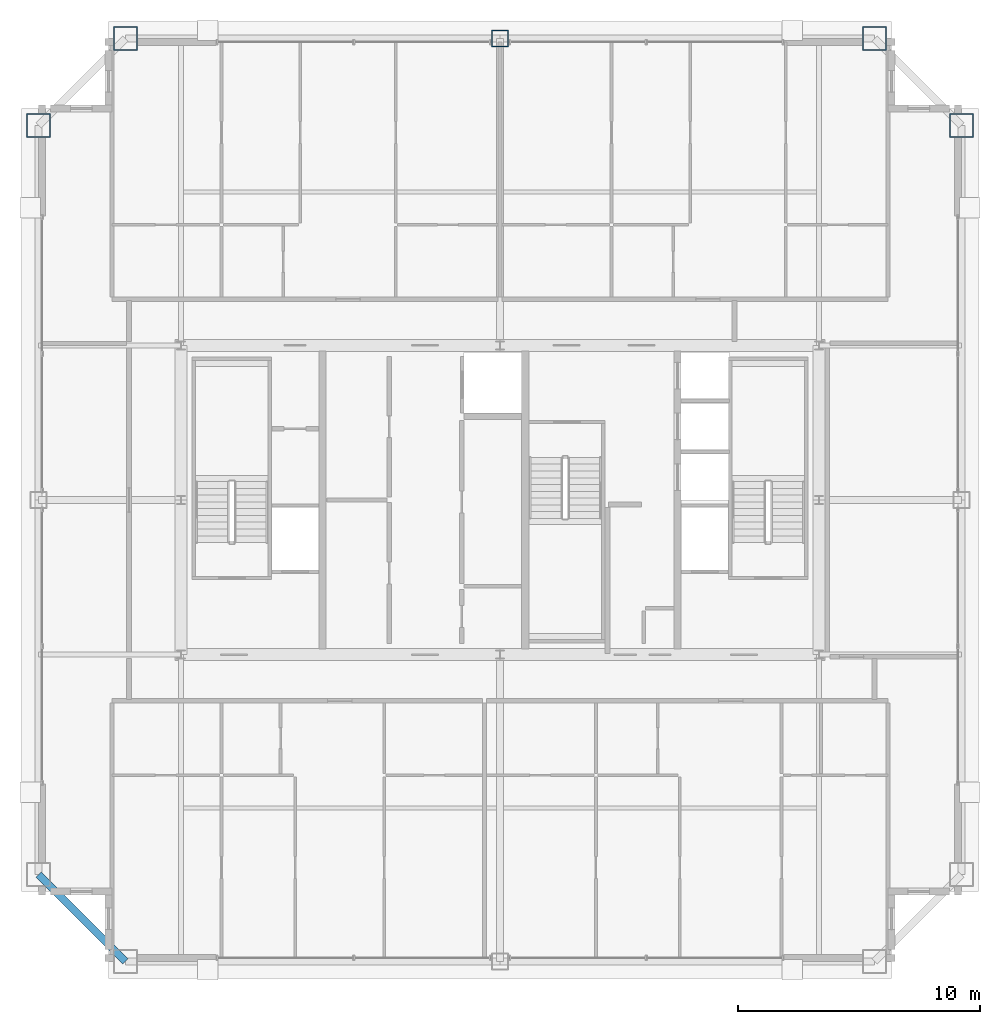
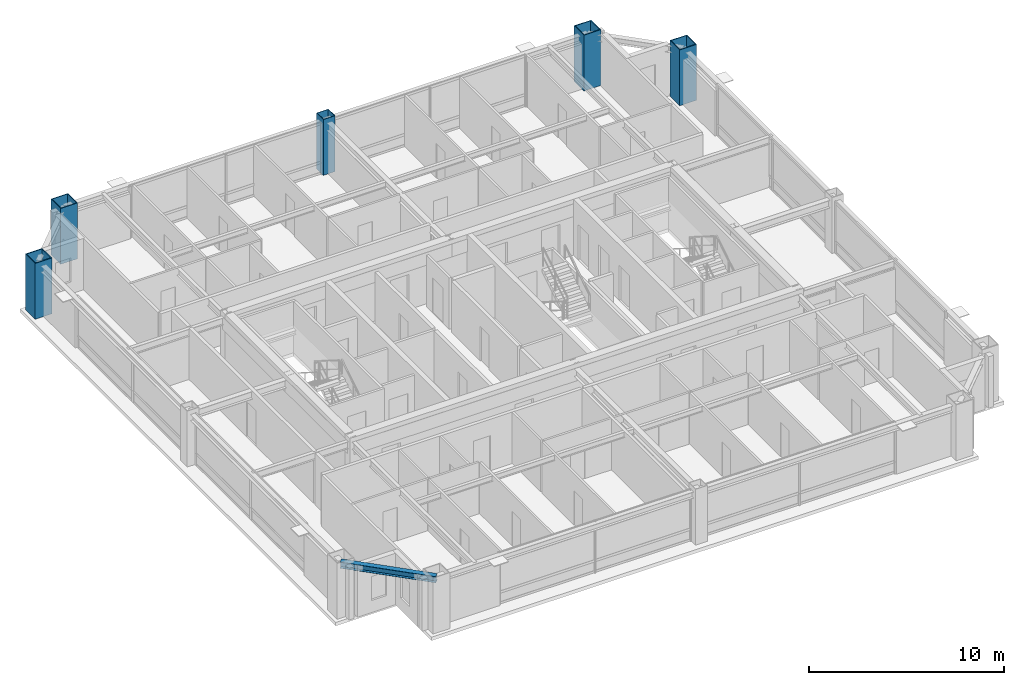
# One storey, part 3 of 35: 5 columns, 1 beam.
"""IFC4 building model written with IfcOpenShell, lengths in metres."""

from ifc_helpers import new_model, si_unit, direction, frame, origin, origin_2d, place, context, subcontext, project, spatial, hollow_rectangle, i_section, extrude, source, transform, mapped, material, material_profile, profile_set, type_object, element, save


model = new_model("IFC4")

# Units and contexts
model_context = context("Model", 3, precision=1e-05, world=origin(), true_north=direction((0.0, 1.0)))
body_context = subcontext(model_context, "Body", "Model", "MODEL_VIEW")
ifc_project = project(units=[si_unit("LENGTHUNIT", "METRE"), si_unit("AREAUNIT", "SQUARE_METRE"), si_unit("VOLUMEUNIT", "CUBIC_METRE"), si_unit("PLANEANGLEUNIT", "RADIAN"), si_unit("MASSUNIT", "GRAM", prefix="KILO"), si_unit("THERMODYNAMICTEMPERATUREUNIT", "KELVIN"), si_unit("POWERUNIT", "WATT")], contexts=[model_context])

# Site, building, storey
site_placement = place(None, origin())
site = spatial("IfcSite", under=ifc_project, at=site_placement, CompositionType="ELEMENT")
building_placement = place(site_placement, origin())
building = spatial("IfcBuilding", under=site, at=building_placement, Name="Yuzanri Waterfront Tower", CompositionType="ELEMENT")
storey_placement = place(building_placement, frame((0.0, 0.0, 303.10009765625)))
storey = spatial("IfcBuildingStorey", under=building, at=storey_placement, Name="L81", CompositionType="ELEMENT", Elevation=303.10009765625)

# Columns
ifc_material_1 = material(Name="Steel Q355B", Category="steel")
ifc_material_profile_1 = material_profile(ifc_material_1, hollow_rectangle(XDim=0.699951171875, YDim=0.699951171875, WallThickness=0.031982421875, at=origin_2d()), Name="RHS 700x700x32")
ifc_profile_set_1 = profile_set([ifc_material_profile_1], Name="Steel Q355B")
column_type_1 = type_object("IfcColumnType", Name="Frame Column Q355B RHS 700x700x32", PredefinedType="COLUMN", material=ifc_profile_set_1)
shared_shape_1 = source(origin(), body_context, "Body", "SweptSolid", [
    extrude(hollow_rectangle(XDim=0.699951171875, YDim=0.699951171875, WallThickness=0.031982421875, at=origin_2d()), origin(), (0.0, 0.0, 1.0), 3.5),
])
column_placement = place(storey_placement, frame((37.0, 44.89990234375, 0.0), z_axis=(0.0, 0.0, 1.0), x_axis=(1.0, 0.0, 0.0)))
element("IfcColumn", 1, at=column_placement, inside=storey, type_object=column_type_1, Name="L81 Perimeter Frame Column N2", PredefinedType="COLUMN", context=body_context, shape_type="MappedRepresentation", body=[
    mapped(shared_shape_1, transform((0.0, 0.0, 0.0), scale=1.0)),
])
ifc_material_2 = material(Name="Steel Q390GJC", Category="steel")
ifc_material_profile_2 = material_profile(ifc_material_2, hollow_rectangle(XDim=1.0, YDim=1.0, WallThickness=0.048095703125, at=origin_2d()), Name="RHS 1000x1000x48")
ifc_profile_set_2 = profile_set([ifc_material_profile_2], Name="Steel Q390GJC")
column_type_2 = type_object("IfcColumnType", Name="Mega Column Q390GJC RHS 1000x1000x48", PredefinedType="COLUMN", material=ifc_profile_set_2)
shared_shape_2 = source(origin(), body_context, "Body", "SweptSolid", [
    extrude(hollow_rectangle(XDim=1.0, YDim=1.0, WallThickness=0.048095703125, at=origin_2d()), origin(), (0.0, 0.0, 1.0), 3.5),
])
for number, where, z_axis, x_axis, name in (
    (2, (21.5, 44.89990234375, 0.0), (0.0, 0.0, 1.0), (1.0, 0.0, 0.0), "L81 Perimeter Mega Column N1"),
    (3, (52.5, 44.89990234375, 0.0), (0.0, 0.0, 1.0), (1.0, 0.0, 0.0), "L81 Perimeter Mega Column N3"),
    (4, (17.89990234375, 41.300048828125, 0.0), (0.0, 0.0, 1.0), (1.0, 0.0, 0.0), "L81 Perimeter Mega Column W3"),
    (5, (56.10009765625, 41.300048828125, 0.0), (0.0, 0.0, 1.0), (1.0, 0.0, 0.0), "L81 Perimeter Mega Column E3"),
):
    element("IfcColumn", number, at=place(storey_placement, frame(where, z_axis=z_axis, x_axis=x_axis)), inside=storey, type_object=column_type_2, Name=name, PredefinedType="COLUMN", context=body_context, shape_type="MappedRepresentation", body=[
        mapped(shared_shape_2, transform((0.0, 0.0, 0.0), scale=1.0)),
    ])

# Beam
ifc_material_3 = material(Name="Steel Q355B", Category="steel")
ifc_material_profile_3 = material_profile(ifc_material_3, i_section(OverallWidth=0.300048828125, OverallDepth=0.389892578125, WebThickness=0.010009765625, FlangeThickness=0.01611328125, at=origin_2d()), Name="HM 390x300x10x16")
ifc_profile_set_3 = profile_set([ifc_material_profile_3], Name="Steel Q355B")
beam_type = type_object("IfcBeamType", Name="Perimeter Spandrel Q355B HM 390x300", PredefinedType="SPANDREL", material=ifc_profile_set_3)
shared_shape_3 = source(origin(), body_context, "Body", "SweptSolid", [
    extrude(i_section(OverallWidth=0.300048828125, OverallDepth=0.389892578125, WebThickness=0.010009765625, FlangeThickness=0.01611328125, at=origin_2d()), origin(), (0.0, 0.0, 1.0), 5.09130859375),
])
beam_placement = place(storey_placement, frame((17.89990234375, 10.300048828125, 3.02490234375), z_axis=(0.707106781187, -0.707106781187, 0.0), x_axis=(0.707106781187, 0.707106781187, 0.0)))
element("IfcBeam", 6, at=beam_placement, inside=storey, type_object=beam_type, Name="L81 Perimeter Spandrel W1-S1", PredefinedType="SPANDREL", context=body_context, shape_type="MappedRepresentation", body=[
    mapped(shared_shape_3, transform((0.0, 0.0, 0.0), scale=1.0)),
])

save(model, "model.ifc")
